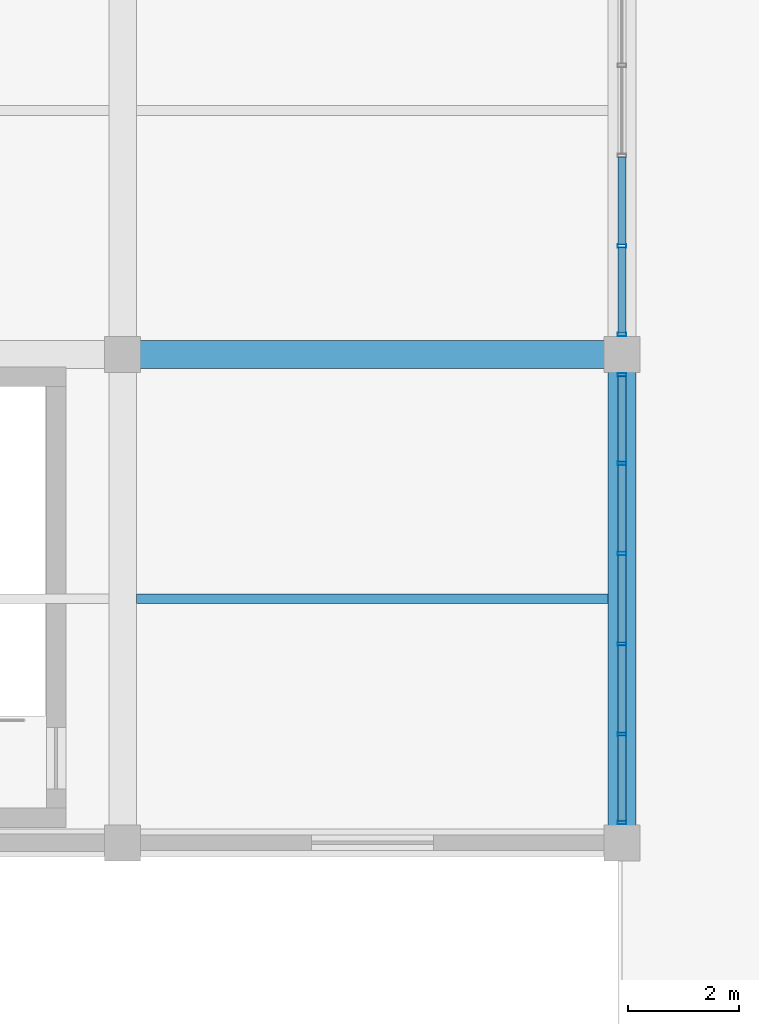
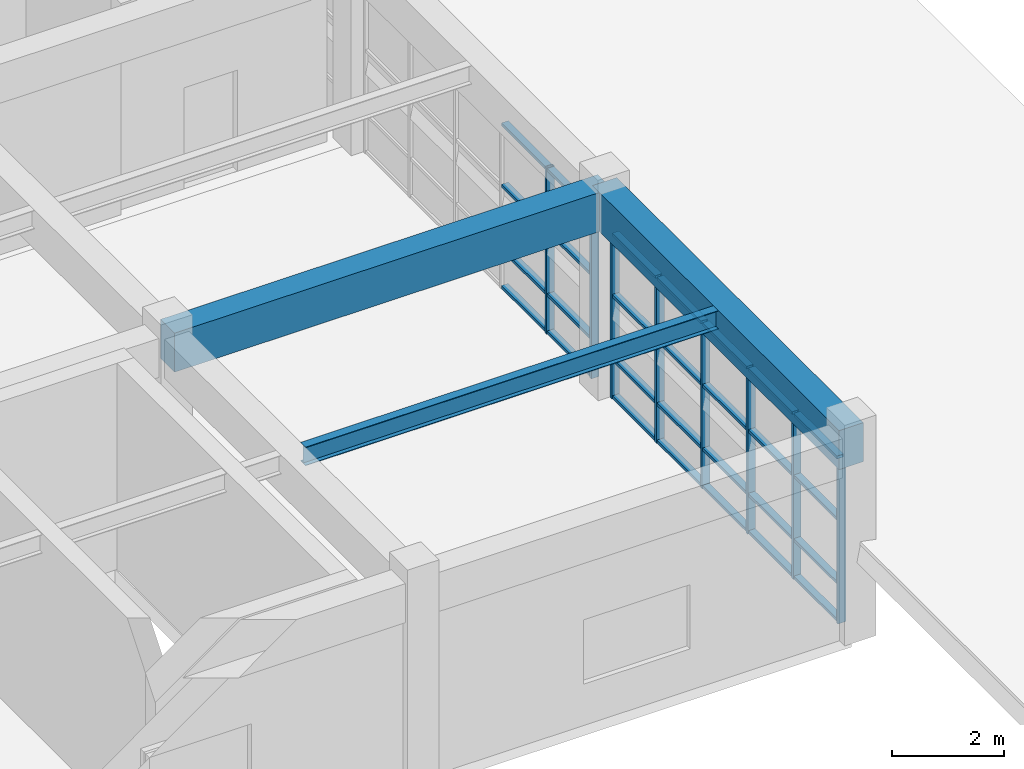
# One storey, part 10 of 99: 36 members, 3 beams, 2 elements without a shape of their own.
"""IFC4 building model written with IfcOpenShell, lengths in metres."""

from ifc_helpers import new_model, si_unit, direction, frame, origin, origin_2d, place, context, subcontext, project, spatial, rectangle, hollow_rectangle, i_section, extrude, material, layer, layer_set, material_profile, profile_set, type_object, element, aggregate, save


model = new_model("IFC4")

# Units and contexts
model_context = context("Model", 3, precision=1e-05, world=origin(), true_north=direction((0.0, 1.0)))
body_context = subcontext(model_context, "Body", "Model", "MODEL_VIEW")
ifc_project = project(units=[si_unit("LENGTHUNIT", "METRE"), si_unit("AREAUNIT", "SQUARE_METRE"), si_unit("VOLUMEUNIT", "CUBIC_METRE"), si_unit("PLANEANGLEUNIT", "RADIAN"), si_unit("MASSUNIT", "GRAM", prefix="KILO")], contexts=[model_context])

# Site, building, storey
site_placement = place(None, origin())
site = spatial("IfcSite", under=ifc_project, at=site_placement, CompositionType="ELEMENT")
building_placement = place(site_placement, origin())
building = spatial("IfcBuilding", under=site, at=building_placement, Name="Ventoquebrada Cableway Terminal", CompositionType="ELEMENT")
storey_placement = place(building_placement, frame((0.0, 0.0, 9.60009765625)))
storey = spatial("IfcBuildingStorey", under=building, at=storey_placement, Name="L02", CompositionType="ELEMENT", Elevation=9.60009765625)

# Beams
ifc_material_1 = material(Name="Concrete C40/50", Category="concrete")
ifc_material_profile_1 = material_profile(ifc_material_1, rectangle(XDim=0.5, YDim=0.85009765625, at=origin_2d()), Name="RC-BM-500X850")
ifc_profile_set_1 = profile_set([ifc_material_profile_1], Name="Concrete C40/50")
beam_type_1 = type_object("IfcBeamType", Name="BM-RC04", PredefinedType="BEAM", material=ifc_profile_set_1)
beam_1_placement = place(storey_placement, frame((17.199951171875, 20.60009765625, 4.039794921875), z_axis=(1.0, 0.0, 0.0), x_axis=(0.0, 1.0, 0.0)))
element("IfcBeam", 1, at=beam_1_placement, inside=storey, type_object=beam_type_1, Name="Primary frame girder FBM-0208", PredefinedType="BEAM", context=body_context, shape_type="SweptSolid", body=[
    extrude(rectangle(XDim=0.5, YDim=0.85009765625, at=origin_2d()), origin(), (0.0, 0.0, 1.0), 9.0),
])
beam_2_placement = place(storey_placement, frame((26.199951171875, 11.800048828125, 4.039794921875), z_axis=(0.0, 1.0, 0.0), x_axis=(-1.0, 0.0, 0.0)))
element("IfcBeam", 2, at=beam_2_placement, inside=storey, type_object=beam_type_1, Name="Primary frame girder FBM-0226", PredefinedType="BEAM", context=body_context, shape_type="SweptSolid", body=[
    extrude(rectangle(XDim=0.5, YDim=0.85009765625, at=origin_2d()), origin(), (0.0, 0.0, 1.0), 8.800048828125),
])

# Curtain wall, members
ifc_material_2 = material(Name="Anodized thermally-broken aluminium", Category="aluminium")
ifc_layer = layer(ifc_material_2, 0.159912109375)
ifc_layer_set = layer_set([ifc_layer], Name="Anodized thermally-broken aluminium")
curtain_wall_type = type_object("IfcCurtainWallType", Name="CW-T07", PredefinedType="USERDEFINED", material=ifc_layer_set)
curtain_wall_1_placement = place(storey_placement, origin())
curtain_wall_1 = element("IfcCurtainWall", 3, at=curtain_wall_1_placement, inside=storey, type_object=curtain_wall_type, Name="Unitised glazed curtain wall CW-014", ObjectType="UNITISED CURTAIN WALL", PredefinedType="USERDEFINED")
ifc_material_profile_2 = material_profile(ifc_material_2, hollow_rectangle(XDim=0.06494140625, YDim=0.159912109375, WallThickness=0.00390625, at=origin_2d()), Name="CW-MUL-65X160")
ifc_profile_set_2 = profile_set([ifc_material_profile_2], Name="Anodized thermally-broken aluminium")
member_type_1 = type_object("IfcMemberType", Name="CWM-01", PredefinedType="MULLION", material=ifc_profile_set_2)
member_1_placement = place(storey_placement, frame((26.199951171875, 12.1650390625, -0.008056640625), z_axis=(0.0, 0.0, 1.0), x_axis=(0.0, 1.0, 0.0)))
member_1 = element("IfcMember", 4, at=member_1_placement, type_object=member_type_1, Name="Curtain wall mullion FML-0056", PredefinedType="MULLION", context=body_context, shape_type="SweptSolid", body=[
    extrude(hollow_rectangle(XDim=0.06494140625, YDim=0.159912109375, WallThickness=0.00390625, at=origin_2d()), origin(), (0.0, 0.0, 1.0), 3.623046875),
])
member_2_placement = place(storey_placement, frame((26.199951171875, 13.758056640625, -0.008056640625), z_axis=(0.0, 0.0, 1.0), x_axis=(0.0, 1.0, 0.0)))
member_2 = element("IfcMember", 5, at=member_2_placement, type_object=member_type_1, Name="Curtain wall mullion FML-0057", PredefinedType="MULLION", context=body_context, shape_type="SweptSolid", body=[
    extrude(hollow_rectangle(XDim=0.06494140625, YDim=0.159912109375, WallThickness=0.00390625, at=origin_2d()), origin(), (0.0, 0.0, 1.0), 3.623046875),
])
member_3_placement = place(storey_placement, frame((26.199951171875, 15.385986328125, -0.008056640625), z_axis=(0.0, 0.0, 1.0), x_axis=(0.0, 1.0, 0.0)))
member_3 = element("IfcMember", 6, at=member_3_placement, type_object=member_type_1, Name="Curtain wall mullion FML-0058", PredefinedType="MULLION", context=body_context, shape_type="SweptSolid", body=[
    extrude(hollow_rectangle(XDim=0.06494140625, YDim=0.159912109375, WallThickness=0.00390625, at=origin_2d()), origin(), (0.0, 0.0, 1.0), 3.623046875),
])
member_4_placement = place(storey_placement, frame((26.199951171875, 17.013916015625, -0.008056640625), z_axis=(0.0, 0.0, 1.0), x_axis=(0.0, 1.0, 0.0)))
member_4 = element("IfcMember", 7, at=member_4_placement, type_object=member_type_1, Name="Curtain wall mullion FML-0059", PredefinedType="MULLION", context=body_context, shape_type="SweptSolid", body=[
    extrude(hollow_rectangle(XDim=0.06494140625, YDim=0.159912109375, WallThickness=0.00390625, at=origin_2d()), origin(), (0.0, 0.0, 1.0), 3.623046875),
])
member_5_placement = place(storey_placement, frame((26.199951171875, 18.64208984375, -0.008056640625), z_axis=(0.0, 0.0, 1.0), x_axis=(0.0, 1.0, 0.0)))
member_5 = element("IfcMember", 8, at=member_5_placement, type_object=member_type_1, Name="Curtain wall mullion FML-0060", PredefinedType="MULLION", context=body_context, shape_type="SweptSolid", body=[
    extrude(hollow_rectangle(XDim=0.06494140625, YDim=0.159912109375, WallThickness=0.00390625, at=origin_2d()), origin(), (0.0, 0.0, 1.0), 3.623046875),
])
member_6_placement = place(storey_placement, frame((26.199951171875, 20.235107421875, -0.008056640625), z_axis=(0.0, 0.0, 1.0), x_axis=(0.0, 1.0, 0.0)))
member_6 = element("IfcMember", 9, at=member_6_placement, type_object=member_type_1, Name="Curtain wall mullion FML-0061", PredefinedType="MULLION", context=body_context, shape_type="SweptSolid", body=[
    extrude(hollow_rectangle(XDim=0.06494140625, YDim=0.159912109375, WallThickness=0.00390625, at=origin_2d()), origin(), (0.0, 0.0, 1.0), 3.623046875),
])

curtain_wall_2_placement = place(storey_placement, origin())
curtain_wall_2 = element("IfcCurtainWall", 10, at=curtain_wall_2_placement, inside=storey, type_object=curtain_wall_type, Name="Unitised glazed curtain wall CW-015", ObjectType="UNITISED CURTAIN WALL", PredefinedType="USERDEFINED")
member_7_placement = place(storey_placement, frame((26.199951171875, 20.965087890625, -0.008056640625), z_axis=(0.0, 0.0, 1.0), x_axis=(0.0, 1.0, 0.0)))
member_7 = element("IfcMember", 11, at=member_7_placement, type_object=member_type_1, Name="Curtain wall mullion FML-0062", PredefinedType="MULLION", context=body_context, shape_type="SweptSolid", body=[
    extrude(hollow_rectangle(XDim=0.06494140625, YDim=0.159912109375, WallThickness=0.00390625, at=origin_2d()), origin(), (0.0, 0.0, 1.0), 3.623046875),
])
member_8_placement = place(storey_placement, frame((26.199951171875, 22.55810546875, -0.008056640625), z_axis=(0.0, 0.0, 1.0), x_axis=(0.0, 1.0, 0.0)))
member_8 = element("IfcMember", 12, at=member_8_placement, type_object=member_type_1, Name="Curtain wall mullion FML-0063", PredefinedType="MULLION", context=body_context, shape_type="SweptSolid", body=[
    extrude(hollow_rectangle(XDim=0.06494140625, YDim=0.159912109375, WallThickness=0.00390625, at=origin_2d()), origin(), (0.0, 0.0, 1.0), 3.623046875),
])

# Member
ifc_material_profile_3 = material_profile(ifc_material_2, hollow_rectangle(XDim=0.06494140625, YDim=0.139892578125, WallThickness=0.00390625, at=origin_2d()), Name="CW-TRN-65X140")
ifc_profile_set_3 = profile_set([ifc_material_profile_3], Name="Anodized thermally-broken aluminium")
member_type_2 = type_object("IfcMemberType", Name="CWT-01", PredefinedType="USERDEFINED", material=ifc_profile_set_3)
member_9_placement = place(storey_placement, frame((26.199951171875, 12.193115234375, 0.034912109375), z_axis=(0.0, 1.0, 0.0), x_axis=(0.0, 0.0, 1.0)))
member_9 = element("IfcMember", 13, at=member_9_placement, type_object=member_type_2, Name="Curtain wall transom FTR-0160", ObjectType="TRANSOM", PredefinedType="USERDEFINED", context=body_context, shape_type="SweptSolid", body=[
    extrude(hollow_rectangle(XDim=0.06494140625, YDim=0.139892578125, WallThickness=0.00390625, at=origin_2d()), origin(), (0.0, 0.0, 1.0), 1.537841796875),
])

member_10_placement = place(storey_placement, frame((26.199951171875, 12.193115234375, 0.849853515625), z_axis=(0.0, 1.0, 0.0), x_axis=(0.0, 0.0, 1.0)))
member_10 = element("IfcMember", 14, at=member_10_placement, type_object=member_type_2, Name="Curtain wall transom FTR-0161", ObjectType="TRANSOM", PredefinedType="USERDEFINED", context=body_context, shape_type="SweptSolid", body=[
    extrude(hollow_rectangle(XDim=0.06494140625, YDim=0.139892578125, WallThickness=0.00390625, at=origin_2d()), origin(), (0.0, 0.0, 1.0), 1.537841796875),
])

member_11_placement = place(storey_placement, frame((26.199951171875, 12.193115234375, 2.23779296875), z_axis=(0.0, 1.0, 0.0), x_axis=(0.0, 0.0, 1.0)))
member_11 = element("IfcMember", 15, at=member_11_placement, type_object=member_type_2, Name="Curtain wall transom FTR-0162", ObjectType="TRANSOM", PredefinedType="USERDEFINED", context=body_context, shape_type="SweptSolid", body=[
    extrude(hollow_rectangle(XDim=0.06494140625, YDim=0.139892578125, WallThickness=0.00390625, at=origin_2d()), origin(), (0.0, 0.0, 1.0), 1.537841796875),
])

member_12_placement = place(storey_placement, frame((26.199951171875, 12.193115234375, 3.574951171875), z_axis=(0.0, 1.0, 0.0), x_axis=(0.0, 0.0, 1.0)))
member_12 = element("IfcMember", 16, at=member_12_placement, type_object=member_type_2, Name="Curtain wall transom FTR-0163", ObjectType="TRANSOM", PredefinedType="USERDEFINED", context=body_context, shape_type="SweptSolid", body=[
    extrude(hollow_rectangle(XDim=0.06494140625, YDim=0.139892578125, WallThickness=0.00390625, at=origin_2d()), origin(), (0.0, 0.0, 1.0), 1.537841796875),
])

member_13_placement = place(storey_placement, frame((26.199951171875, 13.785888671875, 0.034912109375), z_axis=(0.0, 1.0, 0.0), x_axis=(0.0, 0.0, 1.0)))
member_13 = element("IfcMember", 17, at=member_13_placement, type_object=member_type_2, Name="Curtain wall transom FTR-0164", ObjectType="TRANSOM", PredefinedType="USERDEFINED", context=body_context, shape_type="SweptSolid", body=[
    extrude(hollow_rectangle(XDim=0.06494140625, YDim=0.139892578125, WallThickness=0.00390625, at=origin_2d()), origin(), (0.0, 0.0, 1.0), 1.572021484375),
])

member_14_placement = place(storey_placement, frame((26.199951171875, 13.785888671875, 0.849853515625), z_axis=(0.0, 1.0, 0.0), x_axis=(0.0, 0.0, 1.0)))
member_14 = element("IfcMember", 18, at=member_14_placement, type_object=member_type_2, Name="Curtain wall transom FTR-0165", ObjectType="TRANSOM", PredefinedType="USERDEFINED", context=body_context, shape_type="SweptSolid", body=[
    extrude(hollow_rectangle(XDim=0.06494140625, YDim=0.139892578125, WallThickness=0.00390625, at=origin_2d()), origin(), (0.0, 0.0, 1.0), 1.572021484375),
])

member_15_placement = place(storey_placement, frame((26.199951171875, 13.785888671875, 2.23779296875), z_axis=(0.0, 1.0, 0.0), x_axis=(0.0, 0.0, 1.0)))
member_15 = element("IfcMember", 19, at=member_15_placement, type_object=member_type_2, Name="Curtain wall transom FTR-0166", ObjectType="TRANSOM", PredefinedType="USERDEFINED", context=body_context, shape_type="SweptSolid", body=[
    extrude(hollow_rectangle(XDim=0.06494140625, YDim=0.139892578125, WallThickness=0.00390625, at=origin_2d()), origin(), (0.0, 0.0, 1.0), 1.572021484375),
])

member_16_placement = place(storey_placement, frame((26.199951171875, 13.785888671875, 3.574951171875), z_axis=(0.0, 1.0, 0.0), x_axis=(0.0, 0.0, 1.0)))
member_16 = element("IfcMember", 20, at=member_16_placement, type_object=member_type_2, Name="Curtain wall transom FTR-0167", ObjectType="TRANSOM", PredefinedType="USERDEFINED", context=body_context, shape_type="SweptSolid", body=[
    extrude(hollow_rectangle(XDim=0.06494140625, YDim=0.139892578125, WallThickness=0.00390625, at=origin_2d()), origin(), (0.0, 0.0, 1.0), 1.572021484375),
])

member_17_placement = place(storey_placement, frame((26.199951171875, 15.4140625, 0.034912109375), z_axis=(0.0, 1.0, 0.0), x_axis=(0.0, 0.0, 1.0)))
member_17 = element("IfcMember", 21, at=member_17_placement, type_object=member_type_2, Name="Curtain wall transom FTR-0168", ObjectType="TRANSOM", PredefinedType="USERDEFINED", context=body_context, shape_type="SweptSolid", body=[
    extrude(hollow_rectangle(XDim=0.06494140625, YDim=0.139892578125, WallThickness=0.00390625, at=origin_2d()), origin(), (0.0, 0.0, 1.0), 1.572021484375),
])

member_18_placement = place(storey_placement, frame((26.199951171875, 15.4140625, 0.849853515625), z_axis=(0.0, 1.0, 0.0), x_axis=(0.0, 0.0, 1.0)))
member_18 = element("IfcMember", 22, at=member_18_placement, type_object=member_type_2, Name="Curtain wall transom FTR-0169", ObjectType="TRANSOM", PredefinedType="USERDEFINED", context=body_context, shape_type="SweptSolid", body=[
    extrude(hollow_rectangle(XDim=0.06494140625, YDim=0.139892578125, WallThickness=0.00390625, at=origin_2d()), origin(), (0.0, 0.0, 1.0), 1.572021484375),
])

member_19_placement = place(storey_placement, frame((26.199951171875, 15.4140625, 2.23779296875), z_axis=(0.0, 1.0, 0.0), x_axis=(0.0, 0.0, 1.0)))
member_19 = element("IfcMember", 23, at=member_19_placement, type_object=member_type_2, Name="Curtain wall transom FTR-0170", ObjectType="TRANSOM", PredefinedType="USERDEFINED", context=body_context, shape_type="SweptSolid", body=[
    extrude(hollow_rectangle(XDim=0.06494140625, YDim=0.139892578125, WallThickness=0.00390625, at=origin_2d()), origin(), (0.0, 0.0, 1.0), 1.572021484375),
])

member_20_placement = place(storey_placement, frame((26.199951171875, 15.4140625, 3.574951171875), z_axis=(0.0, 1.0, 0.0), x_axis=(0.0, 0.0, 1.0)))
member_20 = element("IfcMember", 24, at=member_20_placement, type_object=member_type_2, Name="Curtain wall transom FTR-0171", ObjectType="TRANSOM", PredefinedType="USERDEFINED", context=body_context, shape_type="SweptSolid", body=[
    extrude(hollow_rectangle(XDim=0.06494140625, YDim=0.139892578125, WallThickness=0.00390625, at=origin_2d()), origin(), (0.0, 0.0, 1.0), 1.572021484375),
])

member_21_placement = place(storey_placement, frame((26.199951171875, 17.041015625, 0.034912109375), z_axis=(0.0, 1.0, 0.0), x_axis=(0.0, 0.0, 1.0)))
member_21 = element("IfcMember", 25, at=member_21_placement, type_object=member_type_2, Name="Curtain wall transom FTR-0172", ObjectType="TRANSOM", PredefinedType="USERDEFINED", context=body_context, shape_type="SweptSolid", body=[
    extrude(hollow_rectangle(XDim=0.06494140625, YDim=0.139892578125, WallThickness=0.00390625, at=origin_2d()), origin(), (0.0, 0.0, 1.0), 1.572998046875),
])

member_22_placement = place(storey_placement, frame((26.199951171875, 17.041015625, 0.849853515625), z_axis=(0.0, 1.0, 0.0), x_axis=(0.0, 0.0, 1.0)))
member_22 = element("IfcMember", 26, at=member_22_placement, type_object=member_type_2, Name="Curtain wall transom FTR-0173", ObjectType="TRANSOM", PredefinedType="USERDEFINED", context=body_context, shape_type="SweptSolid", body=[
    extrude(hollow_rectangle(XDim=0.06494140625, YDim=0.139892578125, WallThickness=0.00390625, at=origin_2d()), origin(), (0.0, 0.0, 1.0), 1.572998046875),
])

member_23_placement = place(storey_placement, frame((26.199951171875, 17.041015625, 2.23779296875), z_axis=(0.0, 1.0, 0.0), x_axis=(0.0, 0.0, 1.0)))
member_23 = element("IfcMember", 27, at=member_23_placement, type_object=member_type_2, Name="Curtain wall transom FTR-0174", ObjectType="TRANSOM", PredefinedType="USERDEFINED", context=body_context, shape_type="SweptSolid", body=[
    extrude(hollow_rectangle(XDim=0.06494140625, YDim=0.139892578125, WallThickness=0.00390625, at=origin_2d()), origin(), (0.0, 0.0, 1.0), 1.572998046875),
])

member_24_placement = place(storey_placement, frame((26.199951171875, 17.041015625, 3.574951171875), z_axis=(0.0, 1.0, 0.0), x_axis=(0.0, 0.0, 1.0)))
member_24 = element("IfcMember", 28, at=member_24_placement, type_object=member_type_2, Name="Curtain wall transom FTR-0175", ObjectType="TRANSOM", PredefinedType="USERDEFINED", context=body_context, shape_type="SweptSolid", body=[
    extrude(hollow_rectangle(XDim=0.06494140625, YDim=0.139892578125, WallThickness=0.00390625, at=origin_2d()), origin(), (0.0, 0.0, 1.0), 1.572998046875),
])

member_25_placement = place(storey_placement, frame((26.199951171875, 18.6689453125, 0.034912109375), z_axis=(0.0, 1.0, 0.0), x_axis=(0.0, 0.0, 1.0)))
member_25 = element("IfcMember", 29, at=member_25_placement, type_object=member_type_2, Name="Curtain wall transom FTR-0176", ObjectType="TRANSOM", PredefinedType="USERDEFINED", context=body_context, shape_type="SweptSolid", body=[
    extrude(hollow_rectangle(XDim=0.06494140625, YDim=0.139892578125, WallThickness=0.00390625, at=origin_2d()), origin(), (0.0, 0.0, 1.0), 1.5380859375),
])

member_26_placement = place(storey_placement, frame((26.199951171875, 18.6689453125, 0.849853515625), z_axis=(0.0, 1.0, 0.0), x_axis=(0.0, 0.0, 1.0)))
member_26 = element("IfcMember", 30, at=member_26_placement, type_object=member_type_2, Name="Curtain wall transom FTR-0177", ObjectType="TRANSOM", PredefinedType="USERDEFINED", context=body_context, shape_type="SweptSolid", body=[
    extrude(hollow_rectangle(XDim=0.06494140625, YDim=0.139892578125, WallThickness=0.00390625, at=origin_2d()), origin(), (0.0, 0.0, 1.0), 1.5380859375),
])

member_27_placement = place(storey_placement, frame((26.199951171875, 18.6689453125, 2.23779296875), z_axis=(0.0, 1.0, 0.0), x_axis=(0.0, 0.0, 1.0)))
member_27 = element("IfcMember", 31, at=member_27_placement, type_object=member_type_2, Name="Curtain wall transom FTR-0178", ObjectType="TRANSOM", PredefinedType="USERDEFINED", context=body_context, shape_type="SweptSolid", body=[
    extrude(hollow_rectangle(XDim=0.06494140625, YDim=0.139892578125, WallThickness=0.00390625, at=origin_2d()), origin(), (0.0, 0.0, 1.0), 1.5380859375),
])

member_28_placement = place(storey_placement, frame((26.199951171875, 18.6689453125, 3.574951171875), z_axis=(0.0, 1.0, 0.0), x_axis=(0.0, 0.0, 1.0)))
member_28 = element("IfcMember", 32, at=member_28_placement, type_object=member_type_2, Name="Curtain wall transom FTR-0179", ObjectType="TRANSOM", PredefinedType="USERDEFINED", context=body_context, shape_type="SweptSolid", body=[
    extrude(hollow_rectangle(XDim=0.06494140625, YDim=0.139892578125, WallThickness=0.00390625, at=origin_2d()), origin(), (0.0, 0.0, 1.0), 1.5380859375),
])

aggregate(curtain_wall_1, [member_1, member_2, member_3, member_4, member_5, member_6, member_9, member_10, member_11, member_12, member_13, member_14, member_15, member_16, member_17, member_18, member_19, member_20, member_21, member_22, member_23, member_24, member_25, member_26, member_27, member_28])

member_29_placement = place(storey_placement, frame((26.199951171875, 20.991943359375, 0.034912109375), z_axis=(0.0, 1.0, 0.0), x_axis=(0.0, 0.0, 1.0)))
member_29 = element("IfcMember", 33, at=member_29_placement, type_object=member_type_2, Name="Curtain wall transom FTR-0180", ObjectType="TRANSOM", PredefinedType="USERDEFINED", context=body_context, shape_type="SweptSolid", body=[
    extrude(hollow_rectangle(XDim=0.06494140625, YDim=0.139892578125, WallThickness=0.00390625, at=origin_2d()), origin(), (0.0, 0.0, 1.0), 1.5380859375),
])

member_30_placement = place(storey_placement, frame((26.199951171875, 20.991943359375, 0.849853515625), z_axis=(0.0, 1.0, 0.0), x_axis=(0.0, 0.0, 1.0)))
member_30 = element("IfcMember", 34, at=member_30_placement, type_object=member_type_2, Name="Curtain wall transom FTR-0181", ObjectType="TRANSOM", PredefinedType="USERDEFINED", context=body_context, shape_type="SweptSolid", body=[
    extrude(hollow_rectangle(XDim=0.06494140625, YDim=0.139892578125, WallThickness=0.00390625, at=origin_2d()), origin(), (0.0, 0.0, 1.0), 1.5380859375),
])

member_31_placement = place(storey_placement, frame((26.199951171875, 20.991943359375, 2.23779296875), z_axis=(0.0, 1.0, 0.0), x_axis=(0.0, 0.0, 1.0)))
member_31 = element("IfcMember", 35, at=member_31_placement, type_object=member_type_2, Name="Curtain wall transom FTR-0182", ObjectType="TRANSOM", PredefinedType="USERDEFINED", context=body_context, shape_type="SweptSolid", body=[
    extrude(hollow_rectangle(XDim=0.06494140625, YDim=0.139892578125, WallThickness=0.00390625, at=origin_2d()), origin(), (0.0, 0.0, 1.0), 1.5380859375),
])

member_32_placement = place(storey_placement, frame((26.199951171875, 20.991943359375, 3.574951171875), z_axis=(0.0, 1.0, 0.0), x_axis=(0.0, 0.0, 1.0)))
member_32 = element("IfcMember", 36, at=member_32_placement, type_object=member_type_2, Name="Curtain wall transom FTR-0183", ObjectType="TRANSOM", PredefinedType="USERDEFINED", context=body_context, shape_type="SweptSolid", body=[
    extrude(hollow_rectangle(XDim=0.06494140625, YDim=0.139892578125, WallThickness=0.00390625, at=origin_2d()), origin(), (0.0, 0.0, 1.0), 1.5380859375),
])

member_33_placement = place(storey_placement, frame((26.199951171875, 22.5849609375, 0.034912109375), z_axis=(0.0, 1.0, 0.0), x_axis=(0.0, 0.0, 1.0)))
member_33 = element("IfcMember", 37, at=member_33_placement, type_object=member_type_2, Name="Curtain wall transom FTR-0184", ObjectType="TRANSOM", PredefinedType="USERDEFINED", context=body_context, shape_type="SweptSolid", body=[
    extrude(hollow_rectangle(XDim=0.06494140625, YDim=0.139892578125, WallThickness=0.00390625, at=origin_2d()), origin(), (0.0, 0.0, 1.0), 1.573974609375),
])

member_34_placement = place(storey_placement, frame((26.199951171875, 22.5849609375, 0.849853515625), z_axis=(0.0, 1.0, 0.0), x_axis=(0.0, 0.0, 1.0)))
member_34 = element("IfcMember", 38, at=member_34_placement, type_object=member_type_2, Name="Curtain wall transom FTR-0185", ObjectType="TRANSOM", PredefinedType="USERDEFINED", context=body_context, shape_type="SweptSolid", body=[
    extrude(hollow_rectangle(XDim=0.06494140625, YDim=0.139892578125, WallThickness=0.00390625, at=origin_2d()), origin(), (0.0, 0.0, 1.0), 1.573974609375),
])

member_35_placement = place(storey_placement, frame((26.199951171875, 22.5849609375, 2.23779296875), z_axis=(0.0, 1.0, 0.0), x_axis=(0.0, 0.0, 1.0)))
member_35 = element("IfcMember", 39, at=member_35_placement, type_object=member_type_2, Name="Curtain wall transom FTR-0186", ObjectType="TRANSOM", PredefinedType="USERDEFINED", context=body_context, shape_type="SweptSolid", body=[
    extrude(hollow_rectangle(XDim=0.06494140625, YDim=0.139892578125, WallThickness=0.00390625, at=origin_2d()), origin(), (0.0, 0.0, 1.0), 1.573974609375),
])

member_36_placement = place(storey_placement, frame((26.199951171875, 22.5849609375, 3.574951171875), z_axis=(0.0, 1.0, 0.0), x_axis=(0.0, 0.0, 1.0)))
member_36 = element("IfcMember", 40, at=member_36_placement, type_object=member_type_2, Name="Curtain wall transom FTR-0187", ObjectType="TRANSOM", PredefinedType="USERDEFINED", context=body_context, shape_type="SweptSolid", body=[
    extrude(hollow_rectangle(XDim=0.06494140625, YDim=0.139892578125, WallThickness=0.00390625, at=origin_2d()), origin(), (0.0, 0.0, 1.0), 1.573974609375),
])

aggregate(curtain_wall_2, [member_7, member_8, member_29, member_30, member_31, member_32, member_33, member_34, member_35, member_36])

# Beam
ifc_material_3 = material(Name="Steel ASTM A992 Grade 50", Category="steel")
ifc_material_profile_4 = material_profile(ifc_material_3, i_section(OverallWidth=0.177978515625, OverallDepth=0.406005859375, WebThickness=0.0078125, FlangeThickness=0.0126953125, at=origin_2d()), Name="W16X40")
ifc_profile_set_4 = profile_set([ifc_material_profile_4], Name="Steel ASTM A992 Grade 50")
beam_type_2 = type_object("IfcBeamType", Name="JST-ST06", PredefinedType="JOIST", material=ifc_profile_set_4)
beam_3_placement = place(storey_placement, frame((17.449951171875, 16.199951171875, 4.261962890625), z_axis=(1.0, 0.0, 0.0), x_axis=(0.0, 1.0, 0.0)))
element("IfcBeam", 41, at=beam_3_placement, inside=storey, type_object=beam_type_2, Name="Secondary floor joist JB-008", PredefinedType="JOIST", context=body_context, shape_type="SweptSolid", body=[
    extrude(i_section(OverallWidth=0.177978515625, OverallDepth=0.406005859375, WebThickness=0.0078125, FlangeThickness=0.0126953125, at=origin_2d()), origin(), (0.0, 0.0, 1.0), 8.5),
])

save(model, "model.ifc")
